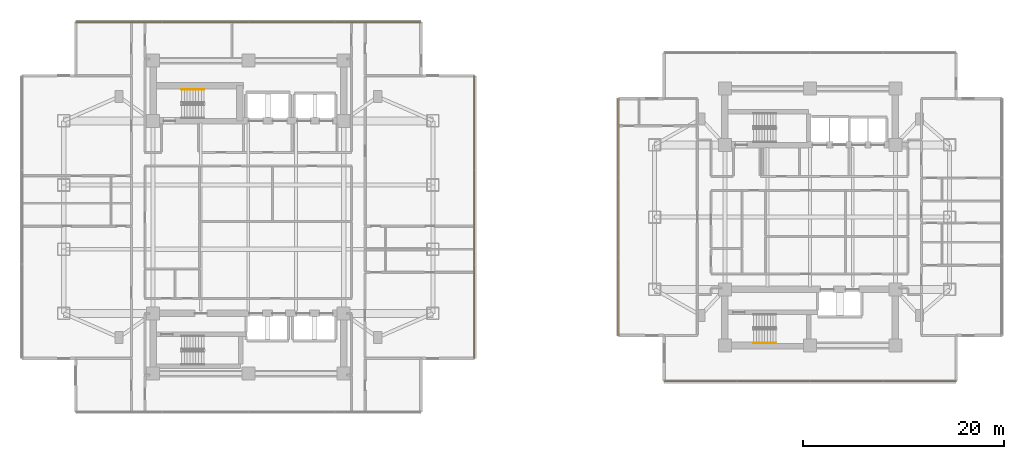
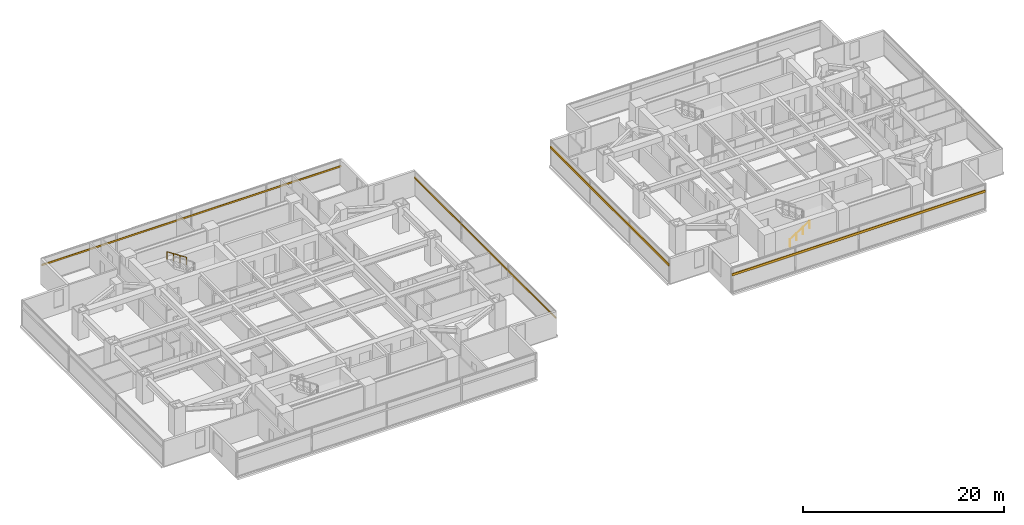
# One storey, part 25 of 27: 4 shading devices, 2 railings.
"""IFC4 building model written with IfcOpenShell, lengths in metres."""

from ifc_helpers import new_model, si_unit, direction, frame, origin, origin_2d, place, context, subcontext, project, spatial, rectangle, circle, extrude, material, material_profile, profile_set, type_object, element, save


model = new_model("IFC4")

# Units and contexts
model_context = context("Model", 3, precision=1e-05, world=origin(), true_north=direction((0.0, 1.0)))
body_context = subcontext(model_context, "Body", "Model", "MODEL_VIEW")
ifc_project = project(units=[si_unit("LENGTHUNIT", "METRE"), si_unit("AREAUNIT", "SQUARE_METRE"), si_unit("VOLUMEUNIT", "CUBIC_METRE"), si_unit("PLANEANGLEUNIT", "RADIAN"), si_unit("MASSUNIT", "GRAM", prefix="KILO")], contexts=[model_context])

# Site, building, storey
site_placement = place(None, origin())
site = spatial("IfcSite", under=ifc_project, at=site_placement, CompositionType="ELEMENT")
building_placement = place(site_placement, origin())
building = spatial("IfcBuilding", under=site, at=building_placement, Name="Mirazonda Arch Towers", CompositionType="ELEMENT")
storey_placement = place(building_placement, frame((0.0, 0.0, 75.199951171875)))
storey = spatial("IfcBuildingStorey", under=building, at=storey_placement, Name="L21", CompositionType="ELEMENT", Elevation=75.199951171875)

# Shading devices
ifc_material_1 = material(Name="Kiln-Fired Architectural Terracotta", Category="masonry")
ifc_material_profile_1 = material_profile(ifc_material_1, rectangle(XDim=0.10009765625, YDim=0.199951171875, at=origin_2d()), Name="TERRA-BAG-100x200")
ifc_profile_set_1 = profile_set([ifc_material_profile_1], Name="Kiln-Fired Architectural Terracotta")
shading_device_type_1 = type_object("IfcShadingDeviceType", Name="BAGUETTE-2", PredefinedType="USERDEFINED", material=ifc_profile_set_1)
shading_device_1_placement = place(storey_placement, frame((43.0400390625, 13.9140625, 2.18896484375), z_axis=(0.0, 1.0, 0.0), x_axis=(-1.0, 0.0, 0.0)))
element("IfcShadingDevice", 1, at=shading_device_1_placement, inside=storey, type_object=shading_device_type_1, Name="L21 Glazed Terracotta Sun-Screen Baguette CW-L21-T1-E", ObjectType="BAGUETTE", PredefinedType="USERDEFINED", context=body_context, shape_type="SweptSolid", body=[
    extrude(rectangle(XDim=0.10009765625, YDim=0.199951171875, at=origin_2d()), origin(), (0.0, 0.0, 1.0), 28.171875),
])
shading_device_2_placement = place(storey_placement, frame((3.300048828125, 47.426025390625, 2.18896484375), z_axis=(1.0, 0.0, 0.0), x_axis=(0.0, 1.0, 0.0)))
element("IfcShadingDevice", 2, at=shading_device_2_placement, inside=storey, type_object=shading_device_type_1, Name="L21 Glazed Terracotta Sun-Screen Baguette CW-L21-T1-N", ObjectType="BAGUETTE", PredefinedType="USERDEFINED", context=body_context, shape_type="SweptSolid", body=[
    extrude(rectangle(XDim=0.10009765625, YDim=0.199951171875, at=origin_2d()), origin(), (0.0, 0.0, 1.0), 34.39990234375),
])
ifc_material_profile_2 = material_profile(ifc_material_1, rectangle(XDim=0.139892578125, YDim=0.280029296875, at=origin_2d()), Name="TERRA-BAG-140x280")
ifc_profile_set_2 = profile_set([ifc_material_profile_2], Name="Kiln-Fired Architectural Terracotta")
shading_device_type_2 = type_object("IfcShadingDeviceType", Name="BAGUETTE-3", PredefinedType="USERDEFINED", material=ifc_profile_set_2)
shading_device_3_placement = place(storey_placement, frame((91.06005859375, 11.640869140625, 2.18896484375), z_axis=(-1.0, 0.0, 0.0), x_axis=(0.0, -1.0, 0.0)))
element("IfcShadingDevice", 3, at=shading_device_3_placement, inside=storey, type_object=shading_device_type_2, Name="L21 Glazed Terracotta Sun-Screen Baguette CW-L21-T2-S", ObjectType="BAGUETTE", PredefinedType="USERDEFINED", context=body_context, shape_type="SweptSolid", body=[
    extrude(rectangle(XDim=0.139892578125, YDim=0.280029296875, at=origin_2d()), origin(), (0.0, 0.0, 1.0), 29.1201171875),
])
shading_device_4_placement = place(storey_placement, frame((57.39404296875, 39.81298828125, 2.18896484375), z_axis=(0.0, -1.0, 0.0), x_axis=(1.0, 0.0, 0.0)))
element("IfcShadingDevice", 4, at=shading_device_4_placement, inside=storey, type_object=shading_device_type_2, Name="L21 Glazed Terracotta Sun-Screen Baguette CW-L21-T2-W", ObjectType="BAGUETTE", PredefinedType="USERDEFINED", context=body_context, shape_type="SweptSolid", body=[
    extrude(rectangle(XDim=0.139892578125, YDim=0.280029296875, at=origin_2d()), origin(), (0.0, 0.0, 1.0), 23.6259765625),
])

# Railings
ifc_material_2 = material(Name="Architectural Brushed Steel S355", Category="steel")
railing_type = type_object("IfcRailingType", Name="HANDRAIL-915", PredefinedType="HANDRAIL", material=ifc_material_2)
railing_1_placement = place(storey_placement, frame((16.090087890625, 40.7099609375, 1.83349609375)))
element("IfcRailing", 5, at=railing_1_placement, inside=storey, type_object=railing_type, Name="L21 ST-T1N stair handrail 2", PredefinedType="HANDRAIL", context=body_context, shape_type="SweptSolid", body=[
    extrude(circle(Radius=0.02392578125, at=origin_2d()), frame((0.0, 0.0, 0.8759765625), z_axis=(-0.836636935527, 0.0, 0.547757827979), x_axis=(0.0, -1.0, 0.0)), (0.0, 0.0, 1.0), 2.677490234375),
    extrude(circle(Radius=0.02099609375, at=origin_2d()), origin(), (0.0, 0.0, 1.0), 0.851806640625),
    extrude(circle(Radius=0.02099609375, at=origin_2d()), frame((-0.74658203125, 0.0, 0.48876953125)), (0.0, 0.0, 1.0), 0.851806640625),
    extrude(circle(Radius=0.02099609375, at=origin_2d()), frame((-1.493408203125, 0.0, 0.977783203125)), (0.0, 0.0, 1.0), 0.851806640625),
    extrude(circle(Radius=0.02099609375, at=origin_2d()), frame((-2.239990234375, 0.0, 1.466552734375)), (0.0, 0.0, 1.0), 0.851806640625),
])
railing_2_placement = place(storey_placement, frame((70.85009765625, 15.469970703125, 0.183349609375)))
element("IfcRailing", 6, at=railing_2_placement, inside=storey, type_object=railing_type, Name="L21 ST-T2S stair handrail 1", PredefinedType="HANDRAIL", context=body_context, shape_type="SweptSolid", body=[
    extrude(circle(Radius=0.02392578125, at=origin_2d()), frame((0.0, 0.0, 0.8759765625), z_axis=(0.836595146698, 0.0, 0.547821650285), x_axis=(0.0, 1.0, 0.0)), (0.0, 0.0, 1.0), 2.677490234375),
    extrude(circle(Radius=0.02099609375, at=origin_2d()), origin(), (0.0, 0.0, 1.0), 0.851806640625),
    extrude(circle(Radius=0.02099609375, at=origin_2d()), frame((0.74658203125, 0.0, 0.489013671875)), (0.0, 0.0, 1.0), 0.851806640625),
    extrude(circle(Radius=0.02099609375, at=origin_2d()), frame((1.493408203125, 0.0, 0.977783203125)), (0.0, 0.0, 1.0), 0.851806640625),
    extrude(circle(Radius=0.02099609375, at=origin_2d()), frame((2.239990234375, 0.0, 1.466796875)), (0.0, 0.0, 1.0), 0.851806640625),
])

save(model, "model.ifc")
